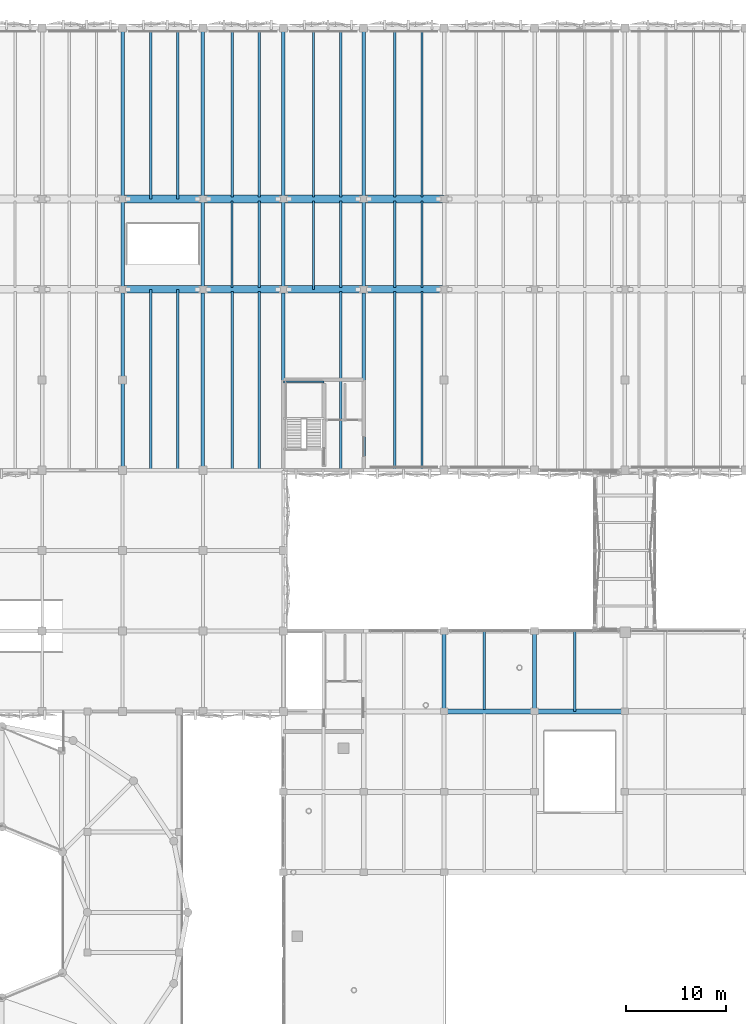
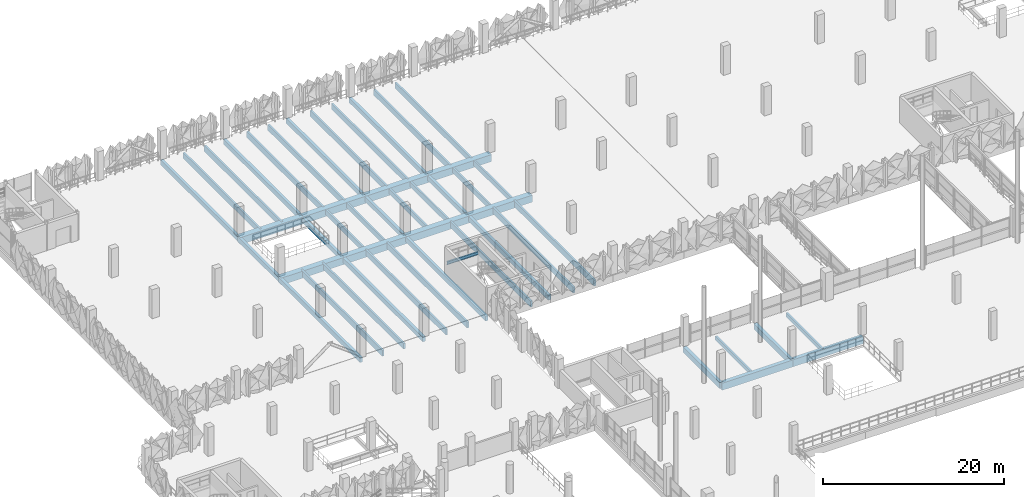
# One storey, part 31 of 123: 48 beams.
"""IFC4 building model written with IfcOpenShell, lengths in metres."""

import ifcopenshell
import ifcopenshell.guid

model = None  # the IFC model being written
_history = None  # IfcOwnerHistory: only IFC2X3 demands one
_inside = {}  # id of a spatial element -> (the spatial element, [elements in it])
_under = {}  # id of a project, library or spatial element -> (it, [spatial elements below it])
_declared = {}  # id of a project -> (the project, [libraries it declares])
_typed = {}  # id of a type object -> (the type object, [elements of that type])
_made_of = {}  # id of a material, layer set ... -> (it, [elements and type objects made of it])


def new_model(schema):
    """Start an empty IFC model of exactly this schema.

    Asked for "IFC4X3", IfcOpenShell would pick the latest addendum, in which some entities
    have other attributes; the version numbers below select the first issue.
    IFC2X3 requires an IfcOwnerHistory on every rooted entity: one is made here for all.
    """
    global model, _history
    if schema == "IFC4X3":
        model = ifcopenshell.file(schema_version=(4, 3, 0, 0))
    else:
        model = ifcopenshell.file(schema=schema)
    _inside.clear()
    _under.clear()
    _declared.clear()
    _typed.clear()
    _made_of.clear()
    _history = None
    if model.schema == "IFC2X3":
        org = make("IfcOrganization", Name="unknown")
        user = make(
            "IfcPersonAndOrganization",
            ThePerson=make("IfcPerson", FamilyName="unknown"),
            TheOrganization=org,
        )
        app = make(
            "IfcApplication",
            ApplicationDeveloper=org,
            Version="unknown",
            ApplicationFullName="unknown",
            ApplicationIdentifier="unknown",
        )
        _history = make(
            "IfcOwnerHistory",
            OwningUser=user,
            OwningApplication=app,
            ChangeAction="ADDED",
            CreationDate=0,
        )
    return model


def make(cls, **values):
    """One entity of the class cls with the attributes given. An attribute that is None is left unset."""
    return model.create_entity(
        cls, **{name: value for name, value in values.items() if value is not None}
    )


def rooted(cls, **values):
    """An entity with a GlobalId (a new one), such as an element, a storey or a relation."""
    return make(cls, GlobalId=ifcopenshell.guid.new(), OwnerHistory=_history, **values)


def si_unit(unit_type, name, prefix=None):
    """IfcSIUnit, for example si_unit("LENGTHUNIT", "METRE", prefix="MILLI")."""
    return make("IfcSIUnit", UnitType=unit_type, Prefix=prefix, Name=name)


def derived_unit(unit_type, elements):
    """IfcDerivedUnit: a product of units, each with its exponent."""
    return make(
        "IfcDerivedUnit",
        Elements=[
            make("IfcDerivedUnitElement", Unit=unit, Exponent=power)
            for unit, power in elements
        ],
        UnitType=unit_type,
    )


def assignment(units):
    """IfcUnitAssignment: the units of a project."""
    return None if units is None else make("IfcUnitAssignment", Units=units)


def point(xyz):
    """IfcCartesianPoint."""
    return None if xyz is None else make("IfcCartesianPoint", Coordinates=xyz)


def direction(xyz):
    """IfcDirection."""
    return None if xyz is None else make("IfcDirection", DirectionRatios=xyz)


def frame(location, z_axis=None, x_axis=None):
    """IfcAxis2Placement3D, a coordinate frame: its origin and axes. An axis left out is left unset."""
    return make(
        "IfcAxis2Placement3D",
        Location=point(location),
        Axis=direction(z_axis),
        RefDirection=direction(x_axis),
    )


def frame_2d(location, x_axis=None):
    """IfcAxis2Placement2D, a coordinate frame in the plane: its origin and x axis."""
    return make(
        "IfcAxis2Placement2D", Location=point(location), RefDirection=direction(x_axis)
    )


def origin():
    """The frame at (0, 0, 0) with its axes left unset."""
    return frame((0.0, 0.0, 0.0))


def origin_2d():
    """The frame at (0, 0) in the plane with its x axis left unset."""
    return frame_2d((0.0, 0.0))


def place(relative_to, where):
    """IfcLocalPlacement: puts the frame where relative to a parent placement (None: the world)."""
    return make(
        "IfcLocalPlacement", PlacementRelTo=relative_to, RelativePlacement=where
    )


def context(
    kind, dimensions, precision=None, world=None, true_north=None, identifier=None
):
    """IfcGeometricRepresentationContext, for example the 3D "Model" context."""
    return make(
        "IfcGeometricRepresentationContext",
        ContextIdentifier=identifier,
        ContextType=kind,
        CoordinateSpaceDimension=dimensions,
        Precision=precision,
        WorldCoordinateSystem=world,
        TrueNorth=true_north,
    )


def subcontext(parent, identifier, kind, view, scale=None):
    """IfcGeometricRepresentationSubContext, for example "Body" below "Model"."""
    return make(
        "IfcGeometricRepresentationSubContext",
        ContextIdentifier=identifier,
        ContextType=kind,
        ParentContext=parent,
        TargetScale=scale,
        TargetView=view,
    )


def project(units=None, contexts=None):
    """IfcProject with its units and contexts."""
    return rooted(
        "IfcProject",
        Name="project",
        RepresentationContexts=contexts,
        UnitsInContext=assignment(units),
    )


def spatial(cls, under=None, at=None, **own):
    """A site, building, storey or space (cls), placed at a placement, below another one or the project."""
    s = rooted(cls, ObjectPlacement=at, **own)
    if under is not None:
        _under.setdefault(under.id(), (under, []))[1].append(s)
    return s


def profile(cls, at=None, kind="AREA", **sizes):
    """A parametric profile (cls). Its sizes go by their IFC names, for example OverallWidth=200.0."""
    return make(cls, ProfileType=kind, Position=at, **sizes)


def rectangle(**sizes):
    """IfcRectangleProfileDef."""
    return profile("IfcRectangleProfileDef", **sizes)


def i_section(**sizes):
    """IfcIShapeProfileDef."""
    return profile("IfcIShapeProfileDef", **sizes)


def extrude(swept, where, along, depth):
    """IfcExtrudedAreaSolid: the profile swept, set in the frame where, extruded along a direction by depth."""
    return make(
        "IfcExtrudedAreaSolid",
        SweptArea=swept,
        Position=where,
        ExtrudedDirection=direction(along),
        Depth=depth,
    )


def shape(context_of_items, identifier, shape_type, items):
    """IfcShapeRepresentation: the items that make up one representation, for example the "Body"."""
    return make(
        "IfcShapeRepresentation",
        ContextOfItems=context_of_items,
        RepresentationIdentifier=identifier,
        RepresentationType=shape_type,
        Items=items,
    )


def material(Name=None, Category=None):
    """IfcMaterial."""
    return make("IfcMaterial", Name=Name, Category=Category)


def material_profile(
    of_material, cross_section, Name=None, Category=None, Priority=None
):
    """IfcMaterialProfile: a cross section and its material."""
    return make(
        "IfcMaterialProfile",
        Name=Name,
        Material=of_material,
        Profile=cross_section,
        Priority=Priority,
        Category=Category,
    )


def profile_set(profiles, Name=None, composite=None):
    """IfcMaterialProfileSet."""
    return make(
        "IfcMaterialProfileSet",
        Name=Name,
        MaterialProfiles=profiles,
        CompositeProfile=composite,
    )


def made_of(thing, what):
    """Note that an element or type object is made of a material, layer set ...; save() writes the relation."""
    if what is not None:
        _made_of.setdefault(what.id(), (what, []))[1].append(thing)
    return thing


def type_object(cls, material=None, **own):
    """A type object (cls), such as IfcWallType, which elements share."""
    return made_of(rooted(cls, **own), material)


def element(
    cls,
    number,
    at=None,
    inside=None,
    cuts=None,
    type_object=None,
    material=None,
    context=None,
    identifier="Body",
    shape_type=None,
    held_by="IfcProductDefinitionShape",
    body=None,
    shapes=None,
    **own,
):
    """One element of the class cls, such as IfcWall. Its Tag is "e" and its number.

    at: its placement. inside: the storey or other place that contains it. cuts: it is an
    opening in that element (IfcRelVoidsElement). A single representation is given by context,
    identifier, shape_type and body (its items); several are given by shapes. held_by: the class
    of the entity that holds the representations. save() writes the other relations.
    """
    e = rooted(cls, Tag="e%d" % number, ObjectPlacement=at, **own)
    if body is not None:
        shapes = [shape(context, identifier, shape_type, body)]
    if shapes is not None:
        e.Representation = make(held_by, Representations=shapes)
    if inside is not None:
        _inside.setdefault(inside.id(), (inside, []))[1].append(e)
    if cuts is not None:
        rooted(
            "IfcRelVoidsElement", RelatingBuildingElement=cuts, RelatedOpeningElement=e
        )
    if type_object is not None:
        _typed.setdefault(type_object.id(), (type_object, []))[1].append(e)
    return made_of(e, material)


def aggregate(whole, parts):
    """IfcRelAggregates: a whole, such as a stair, and the parts it consists of."""
    return rooted("IfcRelAggregates", RelatingObject=whole, RelatedObjects=parts)


def save(model, path):
    """Write the relations noted so far, then the file.

    IfcRelAggregates (storeys below a building ...), IfcRelContainedInSpatialStructure (elements
    in a storey), IfcRelDefinesByType, IfcRelAssociatesMaterial and IfcRelDeclares: one each for
    every whole, place, type object, material and project.
    """
    for whole, parts in _under.values():
        aggregate(whole, parts)
    for where, things in _inside.values():
        rooted(
            "IfcRelContainedInSpatialStructure",
            RelatedElements=things,
            RelatingStructure=where,
        )
    for kind, things in _typed.values():
        rooted("IfcRelDefinesByType", RelatedObjects=things, RelatingType=kind)
    for what, things in _made_of.values():
        rooted("IfcRelAssociatesMaterial", RelatedObjects=things, RelatingMaterial=what)
    for by, libraries in _declared.values():
        rooted("IfcRelDeclares", RelatingContext=by, RelatedDefinitions=libraries)
    model.write(path)


model = new_model("IFC4")

# Units and contexts
model_context = context("Model", 3, precision=1e-05, world=origin(), true_north=direction((0.0, 1.0)))
body_context = subcontext(model_context, "Body", "Model", "MODEL_VIEW")
ifc_project = project(units=[si_unit("LENGTHUNIT", "METRE"), si_unit("AREAUNIT", "SQUARE_METRE"), si_unit("VOLUMEUNIT", "CUBIC_METRE"), si_unit("PLANEANGLEUNIT", "RADIAN"), si_unit("MASSUNIT", "GRAM", prefix="KILO"), si_unit("THERMODYNAMICTEMPERATUREUNIT", "KELVIN"), derived_unit("THERMALTRANSMITTANCEUNIT", [(si_unit("POWERUNIT", "WATT"), 1), (si_unit("AREAUNIT", "SQUARE_METRE"), -1), (si_unit("THERMODYNAMICTEMPERATUREUNIT", "KELVIN"), -1)])], contexts=[model_context])

# Site, building, storey
site_placement = place(None, origin())
site = spatial("IfcSite", under=ifc_project, at=site_placement, CompositionType="ELEMENT")
building_placement = place(site_placement, origin())
building = spatial("IfcBuilding", under=site, at=building_placement, Name="Haiyu Intermodal Mobility Hub", CompositionType="ELEMENT")
storey_placement = place(building_placement, frame((0.0, 0.0, 5.60009765625)))
storey = spatial("IfcBuildingStorey", under=building, at=storey_placement, Name="L01", CompositionType="ELEMENT", Elevation=5.60009765625)

# Beams
ifc_material_1 = material(Name="Concrete C40", Category="concrete")
ifc_material_profile_1 = material_profile(ifc_material_1, rectangle(XDim=0.5, YDim=0.949951171875, at=origin_2d()), Name="RCB500x950")
ifc_profile_set_1 = profile_set([ifc_material_profile_1], Name="Concrete C40")
beam_type_1 = type_object("IfcBeamType", Name="BM-CB01", PredefinedType="BEAM", material=ifc_profile_set_1)
for number, where, z_axis, x_axis, name in (
    (1, (78.0, 80.0, -0.735107421875), (1.0, 0.0, 0.0), (0.0, 1.0, 0.0), "BM-V1G-L01-023"),
    (2, (87.0, 80.0, -0.735107421875), (1.0, 0.0, 0.0), (0.0, 1.0, 0.0), "BM-V1G-L01-024"),
):
    element("IfcBeam", number, at=place(storey_placement, frame(where, z_axis=z_axis, x_axis=x_axis)), inside=storey, type_object=beam_type_1, Name=name, PredefinedType="BEAM", context=body_context, shape_type="SweptSolid", body=[
        extrude(rectangle(XDim=0.5, YDim=0.949951171875, at=origin_2d()), origin(), (0.0, 0.0, 1.0), 9.0),
    ])
ifc_material_profile_2 = material_profile(ifc_material_1, rectangle(XDim=0.35009765625, YDim=0.64990234375, at=origin_2d()), Name="RCB350x650")
ifc_profile_set_2 = profile_set([ifc_material_profile_2], Name="Concrete C40")
beam_type_2 = type_object("IfcBeamType", Name="BM-CB04", PredefinedType="BEAM", material=ifc_profile_set_2)
beam_1_placement = place(storey_placement, frame((46.0, 104.0, -0.60009765625), z_axis=(0.0, 1.0, 0.0), x_axis=(-1.0, 0.0, 0.0)))
element("IfcBeam", 3, at=beam_1_placement, inside=storey, type_object=beam_type_2, Name="BM-V4E-L01-010", PredefinedType="BEAM", context=body_context, shape_type="SweptSolid", body=[
    extrude(rectangle(XDim=0.35009765625, YDim=0.64990234375, at=origin_2d()), origin(), (0.0, 0.0, 1.0), 18.0),
])
beam_2_placement = place(storey_placement, frame((46.0, 122.0, -0.60009765625), z_axis=(0.0, 1.0, 0.0), x_axis=(-1.0, 0.0, 0.0)))
element("IfcBeam", 4, at=beam_2_placement, inside=storey, type_object=beam_type_2, Name="BM-V4E-L01-011", PredefinedType="BEAM", context=body_context, shape_type="SweptSolid", body=[
    extrude(rectangle(XDim=0.35009765625, YDim=0.64990234375, at=origin_2d()), origin(), (0.0, 0.0, 1.0), 9.0),
])
beam_3_placement = place(storey_placement, frame((46.0, 131.0, -0.60009765625), z_axis=(0.0, 1.0, 0.0), x_axis=(-1.0, 0.0, 0.0)))
element("IfcBeam", 5, at=beam_3_placement, inside=storey, type_object=beam_type_2, Name="BM-V4E-L01-012", PredefinedType="BEAM", context=body_context, shape_type="SweptSolid", body=[
    extrude(rectangle(XDim=0.35009765625, YDim=0.64990234375, at=origin_2d()), origin(), (0.0, 0.0, 1.0), 17.0),
])
beam_4_placement = place(storey_placement, frame((54.0, 104.0, -0.60009765625), z_axis=(0.0, 1.0, 0.0), x_axis=(-1.0, 0.0, 0.0)))
element("IfcBeam", 6, at=beam_4_placement, inside=storey, type_object=beam_type_2, Name="BM-V4E-L01-013", PredefinedType="BEAM", context=body_context, shape_type="SweptSolid", body=[
    extrude(rectangle(XDim=0.35009765625, YDim=0.64990234375, at=origin_2d()), origin(), (0.0, 0.0, 1.0), 18.0),
])
beam_5_placement = place(storey_placement, frame((54.0, 122.0, -0.60009765625), z_axis=(0.0, 1.0, 0.0), x_axis=(-1.0, 0.0, 0.0)))
element("IfcBeam", 7, at=beam_5_placement, inside=storey, type_object=beam_type_2, Name="BM-V4E-L01-014", PredefinedType="BEAM", context=body_context, shape_type="SweptSolid", body=[
    extrude(rectangle(XDim=0.35009765625, YDim=0.64990234375, at=origin_2d()), origin(), (0.0, 0.0, 1.0), 9.0),
])
beam_6_placement = place(storey_placement, frame((54.0, 131.0, -0.60009765625), z_axis=(0.0, 1.0, 0.0), x_axis=(-1.0, 0.0, 0.0)))
element("IfcBeam", 8, at=beam_6_placement, inside=storey, type_object=beam_type_2, Name="BM-V4E-L01-015", PredefinedType="BEAM", context=body_context, shape_type="SweptSolid", body=[
    extrude(rectangle(XDim=0.35009765625, YDim=0.64990234375, at=origin_2d()), origin(), (0.0, 0.0, 1.0), 17.0),
])
beam_7_placement = place(storey_placement, frame((62.0, 104.0, -0.60009765625), z_axis=(0.0, 1.0, 0.0), x_axis=(-1.0, 0.0, 0.0)))
element("IfcBeam", 9, at=beam_7_placement, inside=storey, type_object=beam_type_2, Name="BM-V4E-L01-016", PredefinedType="BEAM", context=body_context, shape_type="SweptSolid", body=[
    extrude(rectangle(XDim=0.35009765625, YDim=0.64990234375, at=origin_2d()), origin(), (0.0, 0.0, 1.0), 18.0),
])
beam_8_placement = place(storey_placement, frame((62.0, 122.0, -0.60009765625), z_axis=(0.0, 1.0, 0.0), x_axis=(-1.0, 0.0, 0.0)))
element("IfcBeam", 10, at=beam_8_placement, inside=storey, type_object=beam_type_2, Name="BM-V4E-L01-017", PredefinedType="BEAM", context=body_context, shape_type="SweptSolid", body=[
    extrude(rectangle(XDim=0.35009765625, YDim=0.64990234375, at=origin_2d()), origin(), (0.0, 0.0, 1.0), 9.0),
])
beam_9_placement = place(storey_placement, frame((62.0, 131.0, -0.60009765625), z_axis=(0.0, 1.0, 0.0), x_axis=(-1.0, 0.0, 0.0)))
element("IfcBeam", 11, at=beam_9_placement, inside=storey, type_object=beam_type_2, Name="BM-V4E-L01-018", PredefinedType="BEAM", context=body_context, shape_type="SweptSolid", body=[
    extrude(rectangle(XDim=0.35009765625, YDim=0.64990234375, at=origin_2d()), origin(), (0.0, 0.0, 1.0), 17.0),
])
beam_10_placement = place(storey_placement, frame((70.0, 104.0, -0.60009765625), z_axis=(0.0, 1.0, 0.0), x_axis=(-1.0, 0.0, 0.0)))
element("IfcBeam", 12, at=beam_10_placement, inside=storey, type_object=beam_type_2, Name="BM-V4E-L01-019", PredefinedType="BEAM", context=body_context, shape_type="SweptSolid", body=[
    extrude(rectangle(XDim=0.35009765625, YDim=0.64990234375, at=origin_2d()), origin(), (0.0, 0.0, 1.0), 18.0),
])
beam_11_placement = place(storey_placement, frame((70.0, 122.0, -0.60009765625), z_axis=(0.0, 1.0, 0.0), x_axis=(-1.0, 0.0, 0.0)))
element("IfcBeam", 13, at=beam_11_placement, inside=storey, type_object=beam_type_2, Name="BM-V4E-L01-020", PredefinedType="BEAM", context=body_context, shape_type="SweptSolid", body=[
    extrude(rectangle(XDim=0.35009765625, YDim=0.64990234375, at=origin_2d()), origin(), (0.0, 0.0, 1.0), 9.0),
])
beam_12_placement = place(storey_placement, frame((70.0, 131.0, -0.60009765625), z_axis=(0.0, 1.0, 0.0), x_axis=(-1.0, 0.0, 0.0)))
element("IfcBeam", 14, at=beam_12_placement, inside=storey, type_object=beam_type_2, Name="BM-V4E-L01-021", PredefinedType="BEAM", context=body_context, shape_type="SweptSolid", body=[
    extrude(rectangle(XDim=0.35009765625, YDim=0.64990234375, at=origin_2d()), origin(), (0.0, 0.0, 1.0), 17.0),
])
ifc_material_profile_3 = material_profile(ifc_material_1, rectangle(XDim=0.419921875, YDim=0.780029296875, at=origin_2d()), Name="B420x780")
ifc_profile_set_3 = profile_set([ifc_material_profile_3], Name="Concrete C40")
beam_type_3 = type_object("IfcBeamType", Name="BM-CB14", PredefinedType="BEAM", material=ifc_profile_set_3)
for number, where, z_axis, x_axis, name in (
    (15, (78.0, 80.0, -0.650146484375), (0.0, 1.0, 0.0), (-1.0, 0.0, 0.0), "BM-V1T-L01-009"),
    (16, (87.0, 80.0, -0.650146484375), (0.0, 1.0, 0.0), (-1.0, 0.0, 0.0), "BM-V1T-L01-012"),
):
    element("IfcBeam", number, at=place(storey_placement, frame(where, z_axis=z_axis, x_axis=x_axis)), inside=storey, type_object=beam_type_3, Name=name, PredefinedType="BEAM", context=body_context, shape_type="SweptSolid", body=[
        extrude(rectangle(XDim=0.419921875, YDim=0.780029296875, at=origin_2d()), origin(), (0.0, 0.0, 1.0), 8.0),
    ])
ifc_material_profile_4 = material_profile(ifc_material_1, rectangle(XDim=0.260009765625, YDim=0.52001953125, at=origin_2d()), Name="B260x520")
ifc_profile_set_4 = profile_set([ifc_material_profile_4], Name="Concrete C40")
beam_type_4 = type_object("IfcBeamType", Name="BM-CB18", PredefinedType="JOIST", material=ifc_profile_set_4)
beam_13_placement = place(storey_placement, frame((82.0, 80.195068359375, -0.52001953125), z_axis=(0.0, 1.0, 0.0), x_axis=(-1.0, 0.0, 0.0)))
element("IfcBeam", 17, at=beam_13_placement, inside=storey, type_object=beam_type_4, Name="BM-V1J-L01-009", PredefinedType="JOIST", context=body_context, shape_type="SweptSolid", body=[
    extrude(rectangle(XDim=0.260009765625, YDim=0.52001953125, at=origin_2d()), origin(), (0.0, 0.0, 1.0), 7.804931640625),
])
beam_14_placement = place(storey_placement, frame((91.0, 80.0, -0.52001953125), z_axis=(0.0, 1.0, 0.0), x_axis=(-1.0, 0.0, 0.0)))
element("IfcBeam", 18, at=beam_14_placement, inside=storey, type_object=beam_type_4, Name="BM-V1J-L01-012", PredefinedType="JOIST", context=body_context, shape_type="SweptSolid", body=[
    extrude(rectangle(XDim=0.260009765625, YDim=0.52001953125, at=origin_2d()), origin(), (0.0, 0.0, 1.0), 8.0),
])
ifc_material_2 = material(Name="Precast concrete C50", Category="concrete")
ifc_material_profile_5 = material_profile(ifc_material_2, rectangle(XDim=0.239990234375, YDim=0.780029296875, at=origin_2d()), Name="PC240x780")
ifc_profile_set_5 = profile_set([ifc_material_profile_5], Name="Precast concrete C50")
beam_type_5 = type_object("IfcBeamType", Name="BM-DT01", PredefinedType="JOIST", material=ifc_profile_set_5)
beam_15_placement = place(storey_placement, frame((48.800048828125, 104.0, -0.6650390625), z_axis=(0.0, 1.0, 0.0), x_axis=(-1.0, 0.0, 0.0)))
element("IfcBeam", 19, at=beam_15_placement, inside=storey, type_object=beam_type_5, Name="BM-DT-L01-019", PredefinedType="JOIST", context=body_context, shape_type="SweptSolid", body=[
    extrude(rectangle(XDim=0.239990234375, YDim=0.780029296875, at=origin_2d()), origin(), (0.0, 0.0, 1.0), 18.0),
])
beam_16_placement = place(storey_placement, frame((48.800048828125, 131.0, -0.6650390625), z_axis=(0.0, 1.0, 0.0), x_axis=(-1.0, 0.0, 0.0)))
element("IfcBeam", 20, at=beam_16_placement, inside=storey, type_object=beam_type_5, Name="BM-DT-L01-020", PredefinedType="JOIST", context=body_context, shape_type="SweptSolid", body=[
    extrude(rectangle(XDim=0.239990234375, YDim=0.780029296875, at=origin_2d()), origin(), (0.0, 0.0, 1.0), 17.0),
])
beam_17_placement = place(storey_placement, frame((51.5, 104.0, -0.6650390625), z_axis=(0.0, 1.0, 0.0), x_axis=(-1.0, 0.0, 0.0)))
element("IfcBeam", 21, at=beam_17_placement, inside=storey, type_object=beam_type_5, Name="BM-DT-L01-021", PredefinedType="JOIST", context=body_context, shape_type="SweptSolid", body=[
    extrude(rectangle(XDim=0.239990234375, YDim=0.780029296875, at=origin_2d()), origin(), (0.0, 0.0, 1.0), 18.0),
])
beam_18_placement = place(storey_placement, frame((51.5, 131.0, -0.6650390625), z_axis=(0.0, 1.0, 0.0), x_axis=(-1.0, 0.0, 0.0)))
element("IfcBeam", 22, at=beam_18_placement, inside=storey, type_object=beam_type_5, Name="BM-DT-L01-022", PredefinedType="JOIST", context=body_context, shape_type="SweptSolid", body=[
    extrude(rectangle(XDim=0.239990234375, YDim=0.780029296875, at=origin_2d()), origin(), (0.0, 0.0, 1.0), 17.0),
])
beam_19_placement = place(storey_placement, frame((56.89990234375, 104.0, -0.6650390625), z_axis=(0.0, 1.0, 0.0), x_axis=(-1.0, 0.0, 0.0)))
element("IfcBeam", 23, at=beam_19_placement, inside=storey, type_object=beam_type_5, Name="BM-DT-L01-023", PredefinedType="JOIST", context=body_context, shape_type="SweptSolid", body=[
    extrude(rectangle(XDim=0.239990234375, YDim=0.780029296875, at=origin_2d()), origin(), (0.0, 0.0, 1.0), 17.804931640625),
])
beam_20_placement = place(storey_placement, frame((56.89990234375, 131.195068359375, -0.6650390625), z_axis=(0.0, 1.0, 0.0), x_axis=(-1.0, 0.0, 0.0)))
element("IfcBeam", 24, at=beam_20_placement, inside=storey, type_object=beam_type_5, Name="BM-DT-L01-025", PredefinedType="JOIST", context=body_context, shape_type="SweptSolid", body=[
    extrude(rectangle(XDim=0.239990234375, YDim=0.780029296875, at=origin_2d()), origin(), (0.0, 0.0, 1.0), 16.804931640625),
])
beam_21_placement = place(storey_placement, frame((59.60009765625, 104.0, -0.6650390625), z_axis=(0.0, 1.0, 0.0), x_axis=(-1.0, 0.0, 0.0)))
element("IfcBeam", 25, at=beam_21_placement, inside=storey, type_object=beam_type_5, Name="BM-DT-L01-026", PredefinedType="JOIST", context=body_context, shape_type="SweptSolid", body=[
    extrude(rectangle(XDim=0.239990234375, YDim=0.780029296875, at=origin_2d()), origin(), (0.0, 0.0, 1.0), 17.804931640625),
])
for number, where, z_axis, x_axis, name in (
    (26, (59.60009765625, 131.195068359375, -0.6650390625), (0.0, 1.0, 0.0), (-1.0, 0.0, 0.0), "BM-DT-L01-028"),
    (27, (65.0, 131.195068359375, -0.6650390625), (0.0, 1.0, 0.0), (-1.0, 0.0, 0.0), "BM-DT-L01-031"),
):
    element("IfcBeam", number, at=place(storey_placement, frame(where, z_axis=z_axis, x_axis=x_axis)), inside=storey, type_object=beam_type_5, Name=name, PredefinedType="JOIST", context=body_context, shape_type="SweptSolid", body=[
        extrude(rectangle(XDim=0.239990234375, YDim=0.780029296875, at=origin_2d()), origin(), (0.0, 0.0, 1.0), 16.804931640625),
    ])
beam_22_placement = place(storey_placement, frame((67.699951171875, 104.0, -0.6650390625), z_axis=(0.0, 1.0, 0.0), x_axis=(-1.0, 0.0, 0.0)))
element("IfcBeam", 28, at=beam_22_placement, inside=storey, type_object=beam_type_5, Name="BM-DT-L01-032", PredefinedType="JOIST", context=body_context, shape_type="SweptSolid", body=[
    extrude(rectangle(XDim=0.239990234375, YDim=0.780029296875, at=origin_2d()), origin(), (0.0, 0.0, 1.0), 17.804931640625),
])
beam_23_placement = place(storey_placement, frame((67.699951171875, 131.195068359375, -0.6650390625), z_axis=(0.0, 1.0, 0.0), x_axis=(-1.0, 0.0, 0.0)))
element("IfcBeam", 29, at=beam_23_placement, inside=storey, type_object=beam_type_5, Name="BM-DT-L01-034", PredefinedType="JOIST", context=body_context, shape_type="SweptSolid", body=[
    extrude(rectangle(XDim=0.239990234375, YDim=0.780029296875, at=origin_2d()), origin(), (0.0, 0.0, 1.0), 16.804931640625),
])
beam_24_placement = place(storey_placement, frame((73.10009765625, 104.0, -0.6650390625), z_axis=(0.0, 1.0, 0.0), x_axis=(-1.0, 0.0, 0.0)))
element("IfcBeam", 30, at=beam_24_placement, inside=storey, type_object=beam_type_5, Name="BM-DT-L01-035", PredefinedType="JOIST", context=body_context, shape_type="SweptSolid", body=[
    extrude(rectangle(XDim=0.239990234375, YDim=0.780029296875, at=origin_2d()), origin(), (0.0, 0.0, 1.0), 17.804931640625),
])
beam_25_placement = place(storey_placement, frame((73.10009765625, 131.195068359375, -0.6650390625), z_axis=(0.0, 1.0, 0.0), x_axis=(-1.0, 0.0, 0.0)))
element("IfcBeam", 31, at=beam_25_placement, inside=storey, type_object=beam_type_5, Name="BM-DT-L01-037", PredefinedType="JOIST", context=body_context, shape_type="SweptSolid", body=[
    extrude(rectangle(XDim=0.239990234375, YDim=0.780029296875, at=origin_2d()), origin(), (0.0, 0.0, 1.0), 16.804931640625),
])
beam_26_placement = place(storey_placement, frame((75.800048828125, 104.0, -0.6650390625), z_axis=(0.0, 1.0, 0.0), x_axis=(-1.0, 0.0, 0.0)))
element("IfcBeam", 32, at=beam_26_placement, inside=storey, type_object=beam_type_5, Name="BM-DT-L01-038", PredefinedType="JOIST", context=body_context, shape_type="SweptSolid", body=[
    extrude(rectangle(XDim=0.239990234375, YDim=0.780029296875, at=origin_2d()), origin(), (0.0, 0.0, 1.0), 17.804931640625),
])
beam_27_placement = place(storey_placement, frame((75.800048828125, 131.195068359375, -0.6650390625), z_axis=(0.0, 1.0, 0.0), x_axis=(-1.0, 0.0, 0.0)))
element("IfcBeam", 33, at=beam_27_placement, inside=storey, type_object=beam_type_5, Name="BM-DT-L01-040", PredefinedType="JOIST", context=body_context, shape_type="SweptSolid", body=[
    extrude(rectangle(XDim=0.239990234375, YDim=0.780029296875, at=origin_2d()), origin(), (0.0, 0.0, 1.0), 16.804931640625),
])
ifc_material_profile_6 = material_profile(ifc_material_2, rectangle(XDim=0.22998046875, YDim=0.68994140625, at=origin_2d()), Name="B230x690")
ifc_profile_set_6 = profile_set([ifc_material_profile_6], Name="Precast concrete C50")
beam_type_6 = type_object("IfcBeamType", Name="BM-DT06", PredefinedType="JOIST", material=ifc_profile_set_6)
for number, where, z_axis, x_axis, name in (
    (34, (56.89990234375, 122.195068359375, -0.6201171875), (0.0, 1.0, 0.0), (-1.0, 0.0, 0.0), "BM-DT-L01-024"),
    (35, (59.60009765625, 122.195068359375, -0.6201171875), (0.0, 1.0, 0.0), (-1.0, 0.0, 0.0), "BM-DT-L01-027"),
):
    element("IfcBeam", number, at=place(storey_placement, frame(where, z_axis=z_axis, x_axis=x_axis)), inside=storey, type_object=beam_type_6, Name=name, PredefinedType="JOIST", context=body_context, shape_type="SweptSolid", body=[
        extrude(rectangle(XDim=0.22998046875, YDim=0.68994140625, at=origin_2d()), origin(), (0.0, 0.0, 1.0), 8.60986328125),
    ])
beam_28_placement = place(storey_placement, frame((65.0, 122.0, -0.6201171875), z_axis=(0.0, 1.0, 0.0), x_axis=(-1.0, 0.0, 0.0)))
element("IfcBeam", 36, at=beam_28_placement, inside=storey, type_object=beam_type_6, Name="BM-DT-L01-030", PredefinedType="JOIST", context=body_context, shape_type="SweptSolid", body=[
    extrude(rectangle(XDim=0.22998046875, YDim=0.68994140625, at=origin_2d()), origin(), (0.0, 0.0, 1.0), 8.804931640625),
])
for number, where, z_axis, x_axis, name in (
    (37, (67.699951171875, 122.195068359375, -0.6201171875), (0.0, 1.0, 0.0), (-1.0, 0.0, 0.0), "BM-DT-L01-033"),
    (38, (73.10009765625, 122.195068359375, -0.6201171875), (0.0, 1.0, 0.0), (-1.0, 0.0, 0.0), "BM-DT-L01-036"),
    (39, (75.800048828125, 122.195068359375, -0.6201171875), (0.0, 1.0, 0.0), (-1.0, 0.0, 0.0), "BM-DT-L01-039"),
):
    element("IfcBeam", number, at=place(storey_placement, frame(where, z_axis=z_axis, x_axis=x_axis)), inside=storey, type_object=beam_type_6, Name=name, PredefinedType="JOIST", context=body_context, shape_type="SweptSolid", body=[
        extrude(rectangle(XDim=0.22998046875, YDim=0.68994140625, at=origin_2d()), origin(), (0.0, 0.0, 1.0), 8.60986328125),
    ])
ifc_material_profile_7 = material_profile(ifc_material_2, rectangle(XDim=0.75, YDim=0.949951171875, at=origin_2d()), Name="PC750x950")
ifc_profile_set_7 = profile_set([ifc_material_profile_7], Name="Precast concrete C50")
beam_type_7 = type_object("IfcBeamType", Name="BM-IT01", PredefinedType="T_BEAM", material=ifc_profile_set_7)
for number, where, z_axis, x_axis, name in (
    (40, (46.0, 122.0, -0.75), (1.0, 0.0, 0.0), (0.0, 1.0, 0.0), "BM-V4G-L01-020"),
    (41, (54.0, 122.0, -0.75), (1.0, 0.0, 0.0), (0.0, 1.0, 0.0), "BM-V4G-L01-021"),
    (42, (62.0, 122.0, -0.75), (1.0, 0.0, 0.0), (0.0, 1.0, 0.0), "BM-V4G-L01-022"),
    (43, (70.0, 122.0, -0.75), (1.0, 0.0, 0.0), (0.0, 1.0, 0.0), "BM-V4G-L01-023"),
    (44, (46.0, 131.0, -0.75), (1.0, 0.0, 0.0), (0.0, 1.0, 0.0), "BM-V4G-L01-036"),
    (45, (54.0, 131.0, -0.75), (1.0, 0.0, 0.0), (0.0, 1.0, 0.0), "BM-V4G-L01-037"),
    (46, (62.0, 131.0, -0.75), (1.0, 0.0, 0.0), (0.0, 1.0, 0.0), "BM-V4G-L01-038"),
    (47, (70.0, 131.0, -0.75), (1.0, 0.0, 0.0), (0.0, 1.0, 0.0), "BM-V4G-L01-039"),
):
    element("IfcBeam", number, at=place(storey_placement, frame(where, z_axis=z_axis, x_axis=x_axis)), inside=storey, type_object=beam_type_7, Name=name, PredefinedType="T_BEAM", context=body_context, shape_type="SweptSolid", body=[
        extrude(rectangle(XDim=0.75, YDim=0.949951171875, at=origin_2d()), origin(), (0.0, 0.0, 1.0), 8.0),
    ])
ifc_material_3 = material(Name="Steel Q355C", Category="steel")
ifc_material_profile_8 = material_profile(ifc_material_3, i_section(OverallWidth=0.199951171875, OverallDepth=0.39990234375, WebThickness=0.008056640625, FlangeThickness=0.012939453125, FilletRadius=0.01611328125, at=origin_2d()), Name="HN400x200x8x13")
ifc_profile_set_8 = profile_set([ifc_material_profile_8], Name="Steel Q355C")
beam_type_8 = type_object("IfcBeamType", Name="BM-SB08", PredefinedType="JOIST", material=ifc_profile_set_8)
beam_29_placement = place(storey_placement, frame((62.0, 112.780029296875, 1.52490234375), z_axis=(1.0, 0.0, 0.0), x_axis=(0.0, 1.0, 0.0)))
element("IfcBeam", 48, at=beam_29_placement, inside=storey, type_object=beam_type_8, Name="Stair Half-Landing Rear Beam C5-L01", PredefinedType="JOIST", context=body_context, shape_type="SweptSolid", body=[
    extrude(i_section(OverallWidth=0.199951171875, OverallDepth=0.39990234375, WebThickness=0.008056640625, FlangeThickness=0.012939453125, FilletRadius=0.01611328125, at=origin_2d()), origin(), (0.0, 0.0, 1.0), 4.050048828125),
])

save(model, "model.ifc")
